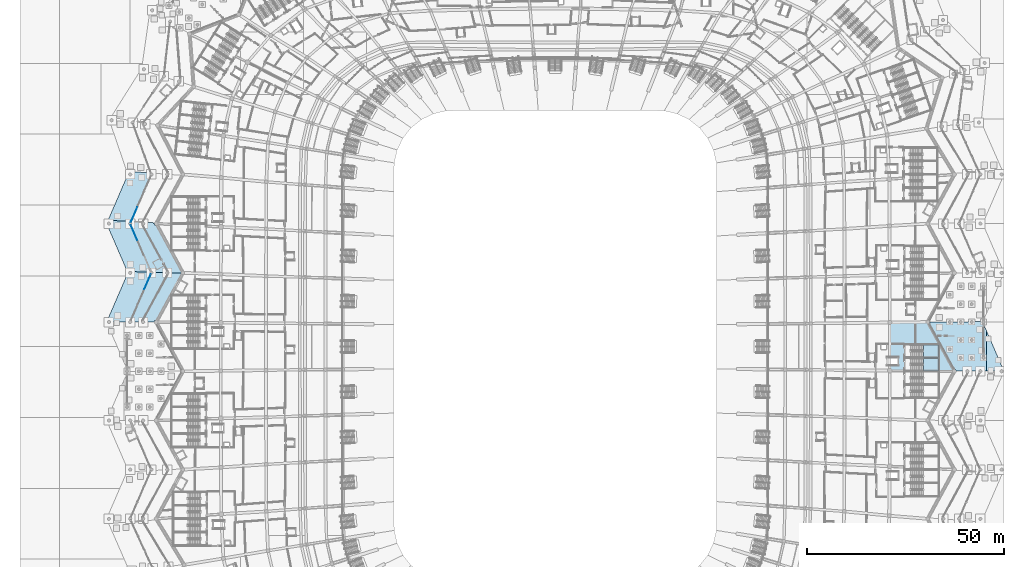
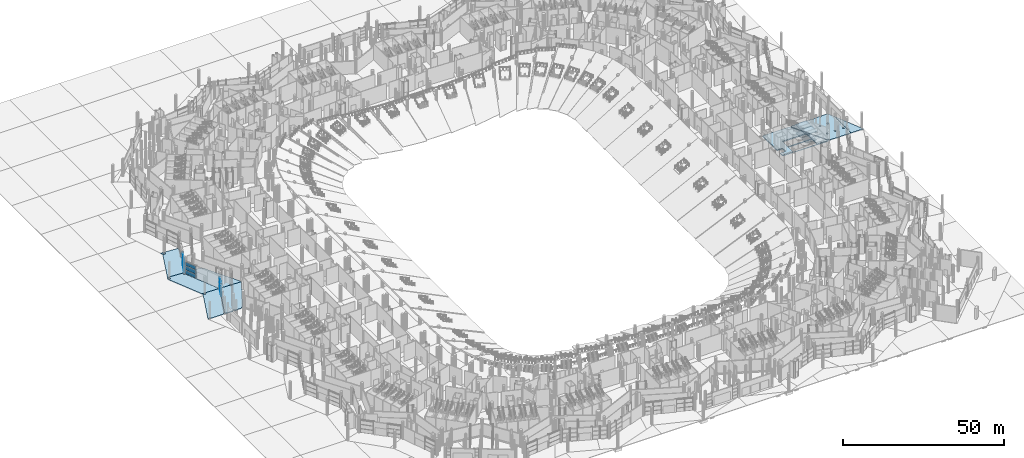
# One storey, part 85 of 255: 12 slabs, 9 plates, 5 elements without a shape of their own.
"""IFC4 building model written with IfcOpenShell, lengths in metres."""

from ifc_helpers import new_model, si_unit, direction, frame, origin, origin_2d, place, context, subcontext, project, spatial, polyline, rectangle, outline, extrude, material, layer, layer_set, type_object, element, aggregate, save


model = new_model("IFC4")

# Units and contexts
model_context = context("Model", 3, precision=1e-05, world=origin(), true_north=direction((0.0, 1.0)))
body_context = subcontext(model_context, "Body", "Model", "MODEL_VIEW")
ifc_project = project(units=[si_unit("LENGTHUNIT", "METRE"), si_unit("AREAUNIT", "SQUARE_METRE"), si_unit("VOLUMEUNIT", "CUBIC_METRE"), si_unit("PLANEANGLEUNIT", "RADIAN"), si_unit("MASSUNIT", "GRAM", prefix="KILO")], contexts=[model_context])

# Site, building, storey
site_placement = place(None, origin())
site = spatial("IfcSite", under=ifc_project, at=site_placement, CompositionType="ELEMENT")
building_placement = place(site_placement, origin())
building = spatial("IfcBuilding", under=site, at=building_placement, Name="Meseta Stadium", CompositionType="ELEMENT")
storey_placement = place(building_placement, origin())
storey = spatial("IfcBuildingStorey", under=building, at=storey_placement, Name="L00", CompositionType="ELEMENT", Elevation=0.0)

# Slabs
ifc_material_1 = material(Name="Concrete C40/50", Category="concrete")
ifc_layer_1 = layer(ifc_material_1, 0.39990234375)
ifc_layer_set_1 = layer_set([ifc_layer_1], Name="Floor slab 400")
slab_type_1 = type_object("IfcSlabType", Name="Floor slab 400", PredefinedType="FLOOR", material=ifc_layer_set_1)
slab_1_placement = place(storey_placement, frame((0.0, 0.0, -0.39990234375)))
element("IfcSlab", 1, at=slab_1_placement, inside=storey, type_object=slab_type_1, Name="Floor slab L00 sector 00 panel 26", PredefinedType="FLOOR", context=body_context, shape_type="SweptSolid", body=[
    extrude(outline(polyline([(88.8798828125, -6.14990234375), (101.3798828125, -6.287109375), (101.39990234375, -6.25), (94.6201171875, 6.212890625), (84.9970703125, 6.107421875), (84.997314453125, -2.800048828125), (87.0, -2.800048828125), (87.0, -4.699951171875), (84.99755859375, -4.699951171875), (84.99755859375, -6.107421875), (88.800048828125, -6.149169921875), (88.800048828125, -2.949951171875), (97.39990234375, -2.949951171875), (97.39990234375, -6.14990234375), (88.8798828125, -6.14990234375)]), holes=[polyline([(97.39990234375, -2.75), (88.800048828125, -2.75), (88.800048828125, 0.449951171875), (97.39990234375, 0.449951171875), (97.39990234375, -2.75)])]), origin(), (0.0, 0.0, 1.0), 0.39990234375),
])
ifc_material_2 = material(Name="Concrete C40/50", Category="concrete")
ifc_layer_2 = layer(ifc_material_2, 0.300048828125)
ifc_layer_set_2 = layer_set([ifc_layer_2], Name="Gate court paving 300")
slab_type_2 = type_object("IfcSlabType", Name="Gate court paving 300", PredefinedType="FLOOR", material=ifc_layer_set_2)
slab_2_placement = place(storey_placement, frame((0.0, 0.0, -0.300048828125)))
element("IfcSlab", 2, at=slab_2_placement, inside=storey, type_object=slab_type_2, Name="Gate 1 court paving", PredefinedType="FLOOR", context=body_context, shape_type="SweptSolid", body=[
    extrude(outline(polyline([(109.60009765625, -6.25), (114.0, -6.25), (109.60009765625, 3.935302734375), (109.60009765625, -6.25)])), origin(), (0.0, 0.0, 1.0), 0.300048828125),
])
ifc_material_3 = material(Name="Concrete C30/37", Category="concrete")
ifc_layer_3 = layer(ifc_material_3, 0.300048828125)
ifc_layer_set_3 = layer_set([ifc_layer_3], Name="Gate grade slab 300")
slab_type_3 = type_object("IfcSlabType", Name="Gate grade slab 300", PredefinedType="BASESLAB", material=ifc_layer_set_3)
slab_3_placement = place(storey_placement, frame((0.0, 0.0, -0.300048828125)))
element("IfcSlab", 3, at=slab_3_placement, inside=storey, type_object=slab_type_3, Name="Gate ground floor slab 1 panel 02", PredefinedType="BASESLAB", context=body_context, shape_type="SweptSolid", body=[
    extrude(outline(polyline([(108.497314453125, 6.25), (108.5078125, 6.328369140625), (108.523193359375, 6.365478515625), (106.087890625, 6.338623046875), (106.09228515625, 6.328369140625), (106.1025390625, 6.25), (106.09228515625, 6.171630859375), (106.06201171875, 6.0986328125), (106.013916015625, 6.035888671875), (105.951416015625, 5.988037109375), (105.87841796875, 5.957763671875), (105.800048828125, 5.947509765625), (105.7216796875, 5.957763671875), (105.648681640625, 5.988037109375), (105.5859375, 6.035888671875), (105.5380859375, 6.0986328125), (105.5078125, 6.171630859375), (105.497314453125, 6.25), (105.5078125, 6.328369140625), (105.509521484375, 6.332275390625), (103.294921875, 6.30810546875), (103.302490234375, 6.25), (103.292236328125, 6.171630859375), (103.261962890625, 6.0986328125), (103.214111328125, 6.035888671875), (103.1513671875, 5.988037109375), (103.078369140625, 5.957763671875), (103.0, 5.947509765625), (102.921630859375, 5.957763671875), (102.8486328125, 5.988037109375), (102.785888671875, 6.035888671875), (102.738037109375, 6.0986328125), (102.707763671875, 6.171630859375), (102.697509765625, 6.25), (102.7041015625, 6.301513671875), (100.4990234375, 6.27734375), (100.502685546875, 6.25), (100.4921875, 6.171630859375), (100.4619140625, 6.0986328125), (100.4140625, 6.035888671875), (100.351318359375, 5.988037109375), (100.2783203125, 5.957763671875), (100.199951171875, 5.947509765625), (100.12158203125, 5.957763671875), (100.048583984375, 5.988037109375), (99.986083984375, 6.035888671875), (99.93798828125, 6.0986328125), (99.90771484375, 6.171630859375), (99.8974609375, 6.25), (99.900146484375, 6.270751953125), (95.049560546875, 6.217529296875), (95.038330078125, 6.132568359375), (94.9931640625, 6.023193359375), (94.955078125, 5.9736328125), (101.335205078125, -5.754150390625), (101.39990234375, -5.74560546875), (101.530517578125, -5.762939453125), (101.652099609375, -5.813232421875), (101.756591796875, -5.893310546875), (101.836669921875, -5.997802734375), (101.88720703125, -6.119384765625), (101.904296875, -6.25), (109.60009765625, -6.25), (109.60009765625, 3.935302734375), (108.7265625, 5.95703125), (108.7216796875, 5.957763671875), (108.648681640625, 5.988037109375), (108.5859375, 6.035888671875), (108.5380859375, 6.0986328125), (108.5078125, 6.171630859375), (108.497314453125, 6.25)]), holes=[polyline([(100.4619140625, -0.818603515625), (100.4140625, -0.88134765625), (100.351318359375, -0.929443359375), (100.2783203125, -0.959716796875), (100.199951171875, -0.969970703125), (100.12158203125, -0.959716796875), (100.048583984375, -0.929443359375), (99.986083984375, -0.88134765625), (99.93798828125, -0.818603515625), (99.90771484375, -0.745849609375), (99.8974609375, -0.66748046875), (99.90771484375, -0.589111328125), (99.93798828125, -0.51611328125), (99.986083984375, -0.45361328125), (100.048583984375, -0.405517578125), (100.12158203125, -0.375244140625), (100.199951171875, -0.364990234375), (100.2783203125, -0.375244140625), (100.351318359375, -0.405517578125), (100.4140625, -0.45361328125), (100.4619140625, -0.51611328125), (100.4921875, -0.589111328125), (100.502685546875, -0.66748046875), (100.4921875, -0.745849609375), (100.4619140625, -0.818603515625)]), polyline([(103.261962890625, -3.001220703125), (103.214111328125, -3.06396484375), (103.1513671875, -3.112060546875), (103.078369140625, -3.142333984375), (103.0, -3.152587890625), (102.921630859375, -3.142333984375), (102.8486328125, -3.112060546875), (102.785888671875, -3.06396484375), (102.738037109375, -3.001220703125), (102.707763671875, -2.92822265625), (102.697509765625, -2.85009765625), (102.707763671875, -2.771728515625), (102.738037109375, -2.69873046875), (102.785888671875, -2.635986328125), (102.8486328125, -2.587890625), (102.921630859375, -2.5576171875), (103.0, -2.54736328125), (103.078369140625, -2.5576171875), (103.1513671875, -2.587890625), (103.214111328125, -2.635986328125), (103.261962890625, -2.69873046875), (103.292236328125, -2.771728515625), (103.302490234375, -2.85009765625), (103.292236328125, -2.92822265625), (103.261962890625, -3.001220703125)]), polyline([(106.06201171875, -3.001220703125), (106.013916015625, -3.06396484375), (105.951416015625, -3.112060546875), (105.87841796875, -3.142333984375), (105.800048828125, -3.152587890625), (105.7216796875, -3.142333984375), (105.648681640625, -3.112060546875), (105.5859375, -3.06396484375), (105.5380859375, -3.001220703125), (105.5078125, -2.92822265625), (105.497314453125, -2.85009765625), (105.5078125, -2.771728515625), (105.5380859375, -2.69873046875), (105.5859375, -2.635986328125), (105.648681640625, -2.587890625), (105.7216796875, -2.5576171875), (105.800048828125, -2.54736328125), (105.87841796875, -2.5576171875), (105.951416015625, -2.587890625), (106.013916015625, -2.635986328125), (106.06201171875, -2.69873046875), (106.09228515625, -2.771728515625), (106.1025390625, -2.85009765625), (106.09228515625, -2.92822265625), (106.06201171875, -3.001220703125)]), polyline([(109.06201171875, -3.001220703125), (109.013916015625, -3.06396484375), (108.951416015625, -3.112060546875), (108.87841796875, -3.142333984375), (108.800048828125, -3.152587890625), (108.7216796875, -3.142333984375), (108.648681640625, -3.112060546875), (108.5859375, -3.06396484375), (108.5380859375, -3.001220703125), (108.5078125, -2.92822265625), (108.497314453125, -2.85009765625), (108.5078125, -2.771728515625), (108.5380859375, -2.69873046875), (108.5859375, -2.635986328125), (108.648681640625, -2.587890625), (108.7216796875, -2.5576171875), (108.800048828125, -2.54736328125), (108.87841796875, -2.5576171875), (108.951416015625, -2.587890625), (109.013916015625, -2.635986328125), (109.06201171875, -2.69873046875), (109.09228515625, -2.771728515625), (109.1025390625, -2.85009765625), (109.09228515625, -2.92822265625), (109.06201171875, -3.001220703125)]), polyline([(103.214111328125, 1.486083984375), (103.1513671875, 1.43798828125), (103.078369140625, 1.40771484375), (103.0, 1.3974609375), (102.921630859375, 1.40771484375), (102.8486328125, 1.43798828125), (102.785888671875, 1.486083984375), (102.738037109375, 1.548583984375), (102.707763671875, 1.62158203125), (102.697509765625, 1.699951171875), (102.707763671875, 1.7783203125), (102.738037109375, 1.851318359375), (102.785888671875, 1.9140625), (102.8486328125, 1.9619140625), (102.921630859375, 1.9921875), (103.0, 2.002685546875), (103.078369140625, 1.9921875), (103.1513671875, 1.9619140625), (103.214111328125, 1.9140625), (103.261962890625, 1.851318359375), (103.292236328125, 1.7783203125), (103.302490234375, 1.699951171875), (103.292236328125, 1.62158203125), (103.261962890625, 1.548583984375), (103.214111328125, 1.486083984375)]), polyline([(106.013916015625, 1.486083984375), (105.951416015625, 1.43798828125), (105.87841796875, 1.40771484375), (105.800048828125, 1.3974609375), (105.7216796875, 1.40771484375), (105.648681640625, 1.43798828125), (105.5859375, 1.486083984375), (105.5380859375, 1.548583984375), (105.5078125, 1.62158203125), (105.497314453125, 1.699951171875), (105.5078125, 1.7783203125), (105.5380859375, 1.851318359375), (105.5859375, 1.9140625), (105.648681640625, 1.9619140625), (105.7216796875, 1.9921875), (105.800048828125, 2.002685546875), (105.87841796875, 1.9921875), (105.951416015625, 1.9619140625), (106.013916015625, 1.9140625), (106.06201171875, 1.851318359375), (106.09228515625, 1.7783203125), (106.1025390625, 1.699951171875), (106.09228515625, 1.62158203125), (106.06201171875, 1.548583984375), (106.013916015625, 1.486083984375)])]), origin(), (0.0, 0.0, 1.0), 0.300048828125),
])
ifc_material_4 = material(Name="Concrete C40/50", Category="concrete")
ifc_layer_4 = layer(ifc_material_4, 0.300048828125)
ifc_layer_set_4 = layer_set([ifc_layer_4], Name="Passage paving slab 300")
slab_type_4 = type_object("IfcSlabType", Name="Passage paving slab 300", PredefinedType="FLOOR", material=ifc_layer_set_4)
slab_4_placement = place(storey_placement, frame((0.0, 0.0, -0.300048828125)))
element("IfcSlab", 4, at=slab_4_placement, inside=storey, type_object=slab_type_4, Name="Covered passage paving 4 part 1 panel 01", PredefinedType="FLOOR", context=body_context, shape_type="SweptSolid", body=[
    extrude(outline(polyline([(-113.6298828125, 32.10693359375), (-114.0, 31.25), (-108.752685546875, 19.103759765625), (-108.218994140625, 19.086181640625), (-108.20166015625, 19.099365234375), (-108.1044921875, 19.1396484375), (-108.0, 19.153564453125), (-107.8955078125, 19.1396484375), (-107.79833984375, 19.099365234375), (-107.761474609375, 19.071044921875), (-102.96533203125, 18.913330078125), (-102.949462890625, 18.95166015625), (-102.88525390625, 19.035400390625), (-102.8017578125, 19.099365234375), (-102.758544921875, 19.1171875), (-107.84130859375, 30.8828125), (-107.8955078125, 30.8603515625), (-108.0, 30.846435546875), (-108.1044921875, 30.8603515625), (-108.20166015625, 30.900634765625), (-108.285400390625, 30.964599609375), (-108.349365234375, 31.04833984375), (-108.3896484375, 31.1455078125), (-108.403564453125, 31.25), (-108.3896484375, 31.3544921875), (-108.349365234375, 31.45166015625), (-108.285400390625, 31.535400390625), (-108.20166015625, 31.599365234375), (-108.1044921875, 31.6396484375), (-108.0, 31.653564453125), (-107.8955078125, 31.6396484375), (-107.84130859375, 31.6171875), (-107.768798828125, 31.78564453125), (-113.6298828125, 32.10693359375)]), holes=[polyline([(-113.1982421875, 30.900634765625), (-113.295654296875, 30.8603515625), (-113.39990234375, 30.846435546875), (-113.50439453125, 30.8603515625), (-113.601806640625, 30.900634765625), (-113.685302734375, 30.964599609375), (-113.74951171875, 31.04833984375), (-113.789794921875, 31.1455078125), (-113.803466796875, 31.25), (-113.789794921875, 31.3544921875), (-113.74951171875, 31.45166015625), (-113.685302734375, 31.535400390625), (-113.601806640625, 31.599365234375), (-113.50439453125, 31.6396484375), (-113.39990234375, 31.653564453125), (-113.295654296875, 31.6396484375), (-113.1982421875, 31.599365234375), (-113.11474609375, 31.535400390625), (-113.050537109375, 31.45166015625), (-113.01025390625, 31.3544921875), (-112.99658203125, 31.25), (-113.01025390625, 31.1455078125), (-113.050537109375, 31.04833984375), (-113.11474609375, 30.964599609375), (-113.1982421875, 30.900634765625)])]), origin(), (0.0, 0.0, 1.0), 0.300048828125),
])
slab_5_placement = place(storey_placement, frame((0.0, 0.0, -0.300048828125)))
element("IfcSlab", 5, at=slab_5_placement, inside=storey, type_object=slab_type_4, Name="Covered passage paving 4 part 1 panel 02", PredefinedType="FLOOR", context=body_context, shape_type="SweptSolid", body=[
    extrude(outline(polyline([(-108.60009765625, 18.75), (-114.0, 6.25), (-113.803466796875, 6.25), (-113.789794921875, 6.3544921875), (-113.761474609375, 6.4228515625), (-113.74951171875, 6.45166015625), (-113.685302734375, 6.535400390625), (-113.601806640625, 6.599365234375), (-113.50439453125, 6.6396484375), (-113.39990234375, 6.653564453125), (-113.295654296875, 6.6396484375), (-113.1982421875, 6.599365234375), (-113.11474609375, 6.535400390625), (-113.050537109375, 6.45166015625), (-113.035400390625, 6.414794921875), (-113.01025390625, 6.3544921875), (-112.99658203125, 6.25), (-108.403564453125, 6.25), (-108.3896484375, 6.3544921875), (-108.349365234375, 6.45166015625), (-108.285400390625, 6.535400390625), (-108.20166015625, 6.599365234375), (-108.1044921875, 6.6396484375), (-108.0, 6.653564453125), (-107.8955078125, 6.6396484375), (-107.84130859375, 6.6171875), (-102.758544921875, 18.3828125), (-102.8017578125, 18.400634765625), (-102.88525390625, 18.464599609375), (-102.949462890625, 18.54833984375), (-102.98974609375, 18.6455078125), (-103.00341796875, 18.75), (-102.98974609375, 18.8544921875), (-102.96533203125, 18.913330078125), (-107.761474609375, 19.071044921875), (-107.714599609375, 19.035400390625), (-107.650634765625, 18.95166015625), (-107.6103515625, 18.8544921875), (-107.596435546875, 18.75), (-107.6103515625, 18.6455078125), (-107.650634765625, 18.54833984375), (-107.714599609375, 18.464599609375), (-107.79833984375, 18.400634765625), (-107.8955078125, 18.3603515625), (-108.0, 18.346435546875), (-108.1044921875, 18.3603515625), (-108.20166015625, 18.400634765625), (-108.285400390625, 18.464599609375), (-108.349365234375, 18.54833984375), (-108.3896484375, 18.6455078125), (-108.403564453125, 18.75), (-108.3896484375, 18.8544921875), (-108.349365234375, 18.95166015625), (-108.285400390625, 19.035400390625), (-108.218994140625, 19.086181640625), (-108.752685546875, 19.103759765625), (-108.60009765625, 18.75)])), origin(), (0.0, 0.0, 1.0), 0.300048828125),
])
slab_6_placement = place(storey_placement, frame((0.0, 0.0, -0.300048828125)))
element("IfcSlab", 6, at=slab_6_placement, inside=storey, type_object=slab_type_4, Name="Covered passage paving 4 part 1 panel 04", PredefinedType="FLOOR", context=body_context, shape_type="SweptSolid", body=[
    extrude(outline(polyline([(-108.885986328125, 44.58544921875), (-108.60009765625, 43.75), (-113.6298828125, 32.10693359375), (-107.768798828125, 31.78564453125), (-102.758544921875, 43.3828125), (-102.8017578125, 43.400634765625), (-102.88525390625, 43.464599609375), (-102.949462890625, 43.54833984375), (-102.98974609375, 43.6455078125), (-103.00341796875, 43.75), (-102.98974609375, 43.8544921875), (-102.949462890625, 43.95166015625), (-102.88525390625, 44.035400390625), (-102.8017578125, 44.099365234375), (-102.7626953125, 44.115478515625), (-108.885986328125, 44.58544921875)]), holes=[polyline([(-108.0, 43.346435546875), (-108.1044921875, 43.3603515625), (-108.20166015625, 43.400634765625), (-108.285400390625, 43.464599609375), (-108.349365234375, 43.54833984375), (-108.3896484375, 43.6455078125), (-108.403564453125, 43.75), (-108.3896484375, 43.8544921875), (-108.349365234375, 43.95166015625), (-108.285400390625, 44.035400390625), (-108.20166015625, 44.099365234375), (-108.1044921875, 44.1396484375), (-108.0, 44.153564453125), (-107.8955078125, 44.1396484375), (-107.79833984375, 44.099365234375), (-107.714599609375, 44.035400390625), (-107.650634765625, 43.95166015625), (-107.6103515625, 43.8544921875), (-107.596435546875, 43.75), (-107.6103515625, 43.6455078125), (-107.650634765625, 43.54833984375), (-107.714599609375, 43.464599609375), (-107.79833984375, 43.400634765625), (-107.8955078125, 43.3603515625), (-108.0, 43.346435546875)])]), origin(), (0.0, 0.0, 1.0), 0.300048828125),
])

# Curtain wall, plates
ifc_material_5 = material(Name="Aluminium", Category="aluminium")
ifc_layer_5 = layer(ifc_material_5, 0.199951171875)
ifc_layer_set_5 = layer_set([ifc_layer_5], Name="Ring shopfront curtain wall")
curtain_wall_type = type_object("IfcCurtainWallType", Name="Ring shopfront curtain wall", PredefinedType="NOTDEFINED", material=ifc_layer_set_5)
curtain_wall_1_placement = place(storey_placement, origin())
curtain_wall_1 = element("IfcCurtainWall", 7, at=curtain_wall_1_placement, inside=storey, type_object=curtain_wall_type, Name="Shopfront glazing F29b", PredefinedType="NOTDEFINED")
ifc_material_6 = material(Name="Glass", Category="glass")
ifc_layer_6 = layer(ifc_material_6, 0.035888671875)
ifc_layer_set_6 = layer_set([ifc_layer_6], Name="Ring CW glass panel 36")
plate_type = type_object("IfcPlateType", Name="Ring CW glass panel 36", PredefinedType="CURTAIN_PANEL", material=ifc_layer_set_6)
plate_1_placement = place(storey_placement, frame((-107.0068359375, 33.548828125, 0.150146484375), z_axis=(0.0, 0.0, 1.0), x_axis=(-0.396576208678, -0.918001803218, 0.0)))
plate_1 = element("IfcPlate", 8, at=plate_1_placement, type_object=plate_type, Name="CWR1 panel 1.1", PredefinedType="CURTAIN_PANEL", context=body_context, shape_type="SweptSolid", body=[
    extrude(rectangle(XDim=4.08837890625, YDim=0.035888671875, at=origin_2d()), origin(), (0.0, 0.0, 1.0), 1.3916015625),
])
plate_2_placement = place(storey_placement, frame((-107.0068359375, 33.548828125, 1.69189453125), z_axis=(0.0, 0.0, 1.0), x_axis=(-0.396576208678, -0.918001803218, 0.0)))
plate_2 = element("IfcPlate", 9, at=plate_2_placement, type_object=plate_type, Name="CWR1 panel 1.2", PredefinedType="CURTAIN_PANEL", context=body_context, shape_type="SweptSolid", body=[
    extrude(rectangle(XDim=4.08837890625, YDim=0.035888671875, at=origin_2d()), origin(), (0.0, 0.0, 1.0), 1.466552734375),
])
plate_3_placement = place(storey_placement, frame((-107.0068359375, 33.548828125, 3.308349609375), z_axis=(0.0, 0.0, 1.0), x_axis=(-0.396576208678, -0.918001803218, 0.0)))
plate_3 = element("IfcPlate", 10, at=plate_3_placement, type_object=plate_type, Name="CWR1 panel 1.3", PredefinedType="CURTAIN_PANEL", context=body_context, shape_type="SweptSolid", body=[
    extrude(rectangle(XDim=4.08837890625, YDim=0.035888671875, at=origin_2d()), origin(), (0.0, 0.0, 1.0), 1.3916015625),
])
aggregate(curtain_wall_1, [plate_1, plate_2, plate_3])

curtain_wall_2_placement = place(storey_placement, origin())
curtain_wall_2 = element("IfcCurtainWall", 11, at=curtain_wall_2_placement, inside=storey, type_object=curtain_wall_type, Name="Shopfront glazing F30a", PredefinedType="NOTDEFINED")
plate_4_placement = place(storey_placement, frame((-107.0068359375, 28.951171875, 0.150146484375), z_axis=(0.0, 0.0, 1.0), x_axis=(0.396576208678, -0.918001803218, 0.0)))
plate_4 = element("IfcPlate", 12, at=plate_4_placement, type_object=plate_type, Name="CWR1 panel 1.1", PredefinedType="CURTAIN_PANEL", context=body_context, shape_type="SweptSolid", body=[
    extrude(rectangle(XDim=4.08837890625, YDim=0.035888671875, at=origin_2d()), origin(), (0.0, 0.0, 1.0), 1.3916015625),
])
plate_5_placement = place(storey_placement, frame((-107.0068359375, 28.951171875, 1.69189453125), z_axis=(0.0, 0.0, 1.0), x_axis=(0.396576208678, -0.918001803218, 0.0)))
plate_5 = element("IfcPlate", 13, at=plate_5_placement, type_object=plate_type, Name="CWR1 panel 1.2", PredefinedType="CURTAIN_PANEL", context=body_context, shape_type="SweptSolid", body=[
    extrude(rectangle(XDim=4.08837890625, YDim=0.035888671875, at=origin_2d()), origin(), (0.0, 0.0, 1.0), 1.466552734375),
])
plate_6_placement = place(storey_placement, frame((-107.0068359375, 28.951171875, 3.308349609375), z_axis=(0.0, 0.0, 1.0), x_axis=(0.396576208678, -0.918001803218, 0.0)))
plate_6 = element("IfcPlate", 14, at=plate_6_placement, type_object=plate_type, Name="CWR1 panel 1.3", PredefinedType="CURTAIN_PANEL", context=body_context, shape_type="SweptSolid", body=[
    extrude(rectangle(XDim=4.08837890625, YDim=0.035888671875, at=origin_2d()), origin(), (0.0, 0.0, 1.0), 1.3916015625),
])
aggregate(curtain_wall_2, [plate_4, plate_5, plate_6])

curtain_wall_3_placement = place(storey_placement, origin())
curtain_wall_3 = element("IfcCurtainWall", 15, at=curtain_wall_3_placement, inside=storey, type_object=curtain_wall_type, Name="Shopfront glazing F31a", PredefinedType="NOTDEFINED")
plate_7_placement = place(storey_placement, frame((-103.593017578125, 16.451171875, 0.150146484375), z_axis=(0.0, 0.0, 1.0), x_axis=(-0.396576208678, -0.918001803218, 0.0)))
plate_7 = element("IfcPlate", 16, at=plate_7_placement, type_object=plate_type, Name="CWR1 panel 1.1", PredefinedType="CURTAIN_PANEL", context=body_context, shape_type="SweptSolid", body=[
    extrude(rectangle(XDim=4.08837890625, YDim=0.035888671875, at=origin_2d()), origin(), (0.0, 0.0, 1.0), 1.3916015625),
])
plate_8_placement = place(storey_placement, frame((-103.593017578125, 16.451171875, 1.69189453125), z_axis=(0.0, 0.0, 1.0), x_axis=(-0.396576208678, -0.918001803218, 0.0)))
plate_8 = element("IfcPlate", 17, at=plate_8_placement, type_object=plate_type, Name="CWR1 panel 1.2", PredefinedType="CURTAIN_PANEL", context=body_context, shape_type="SweptSolid", body=[
    extrude(rectangle(XDim=4.08837890625, YDim=0.035888671875, at=origin_2d()), origin(), (0.0, 0.0, 1.0), 1.466552734375),
])
plate_9_placement = place(storey_placement, frame((-103.593017578125, 16.451171875, 3.308349609375), z_axis=(0.0, 0.0, 1.0), x_axis=(-0.396576208678, -0.918001803218, 0.0)))
plate_9 = element("IfcPlate", 18, at=plate_9_placement, type_object=plate_type, Name="CWR1 panel 1.3", PredefinedType="CURTAIN_PANEL", context=body_context, shape_type="SweptSolid", body=[
    extrude(rectangle(XDim=4.08837890625, YDim=0.035888671875, at=origin_2d()), origin(), (0.0, 0.0, 1.0), 1.3916015625),
])
aggregate(curtain_wall_3, [plate_7, plate_8, plate_9])

# Slabs
ifc_material_7 = material(Name="Concrete C30/37", Category="concrete")
ifc_layer_7 = layer(ifc_material_7, 0.300048828125)
ifc_layer_set_7 = layer_set([ifc_layer_7], Name="Ring grade slab 300")
slab_type_5 = type_object("IfcSlabType", Name="Ring grade slab 300", PredefinedType="BASESLAB", material=ifc_layer_set_7)
slab_7_placement = place(storey_placement, frame((0.0, 0.0, -0.300048828125)))
element("IfcSlab", 19, at=slab_7_placement, inside=storey, type_object=slab_type_5, Name="Ring ground floor slab 4 part 1 panel 01", PredefinedType="BASESLAB", context=body_context, shape_type="SweptSolid", body=[
    extrude(outline(polyline([(-102.314697265625, 19.035400390625), (-102.25048828125, 18.95166015625), (-102.224609375, 18.888916015625), (-98.999267578125, 18.782958984375), (-98.98974609375, 18.8544921875), (-98.949462890625, 18.95166015625), (-98.88525390625, 19.035400390625), (-98.8017578125, 19.099365234375), (-98.704345703125, 19.1396484375), (-98.60009765625, 19.153564453125), (-98.49560546875, 19.1396484375), (-98.398193359375, 19.099365234375), (-98.314697265625, 19.035400390625), (-98.25048828125, 18.95166015625), (-98.210205078125, 18.8544921875), (-98.197509765625, 18.756591796875), (-95.041015625, 18.652587890625), (-95.053955078125, 18.75), (-95.038330078125, 18.867431640625), (-94.9931640625, 18.976806640625), (-94.935302734375, 19.05224609375), (-101.30322265625, 30.75830078125), (-101.39990234375, 30.74560546875), (-101.530517578125, 30.762939453125), (-101.652099609375, 30.813232421875), (-101.756591796875, 30.893310546875), (-101.836669921875, 30.997802734375), (-101.88720703125, 31.119384765625), (-101.904296875, 31.25), (-101.88720703125, 31.380615234375), (-101.853515625, 31.461181640625), (-104.517333984375, 31.607421875), (-104.498291015625, 31.599365234375), (-104.414794921875, 31.535400390625), (-104.3505859375, 31.45166015625), (-104.310302734375, 31.3544921875), (-104.29638671875, 31.25), (-104.310302734375, 31.1455078125), (-104.3505859375, 31.04833984375), (-104.414794921875, 30.964599609375), (-104.498291015625, 30.900634765625), (-104.595703125, 30.8603515625), (-104.699951171875, 30.846435546875), (-104.804443359375, 30.8603515625), (-104.901611328125, 30.900634765625), (-104.9853515625, 30.964599609375), (-105.04931640625, 31.04833984375), (-105.089599609375, 31.1455078125), (-105.103515625, 31.25), (-105.089599609375, 31.3544921875), (-105.04931640625, 31.45166015625), (-104.9853515625, 31.535400390625), (-104.901611328125, 31.599365234375), (-104.83984375, 31.625), (-107.768798828125, 31.78564453125), (-107.84130859375, 31.6171875), (-107.79833984375, 31.599365234375), (-107.714599609375, 31.535400390625), (-107.650634765625, 31.45166015625), (-107.6103515625, 31.3544921875), (-107.596435546875, 31.25), (-107.6103515625, 31.1455078125), (-107.650634765625, 31.04833984375), (-107.714599609375, 30.964599609375), (-107.79833984375, 30.900634765625), (-107.84130859375, 30.8828125), (-102.758544921875, 19.1171875), (-102.704345703125, 19.1396484375), (-102.60009765625, 19.153564453125), (-102.49560546875, 19.1396484375), (-102.398193359375, 19.099365234375), (-102.314697265625, 19.035400390625)])), origin(), (0.0, 0.0, 1.0), 0.300048828125),
])
slab_8_placement = place(storey_placement, frame((0.0, 0.0, -0.300048828125)))
element("IfcSlab", 20, at=slab_8_placement, inside=storey, type_object=slab_type_5, Name="Ring ground floor slab 4 part 1 panel 02", PredefinedType="BASESLAB", context=body_context, shape_type="SweptSolid", body=[
    extrude(outline(polyline([(-107.79833984375, 6.599365234375), (-107.714599609375, 6.535400390625), (-107.650634765625, 6.45166015625), (-107.610595703125, 6.35546875), (-107.596435546875, 6.25), (-105.103515625, 6.25), (-105.089599609375, 6.3544921875), (-105.04931640625, 6.45166015625), (-104.9853515625, 6.535400390625), (-104.901611328125, 6.599365234375), (-104.804443359375, 6.6396484375), (-104.699951171875, 6.653564453125), (-104.595703125, 6.6396484375), (-104.498291015625, 6.599365234375), (-104.414794921875, 6.535400390625), (-104.3505859375, 6.45166015625), (-104.310302734375, 6.3544921875), (-104.29638671875, 6.25), (-101.904296875, 6.25), (-101.88720703125, 6.380615234375), (-101.836669921875, 6.502197265625), (-101.756591796875, 6.606689453125), (-101.652099609375, 6.686767578125), (-101.530517578125, 6.737060546875), (-101.39990234375, 6.75439453125), (-101.30322265625, 6.74169921875), (-94.935302734375, 18.44775390625), (-94.9931640625, 18.523193359375), (-95.038330078125, 18.632568359375), (-95.041015625, 18.652587890625), (-98.197509765625, 18.756591796875), (-98.196533203125, 18.75), (-98.210205078125, 18.6455078125), (-98.25048828125, 18.54833984375), (-98.314697265625, 18.464599609375), (-98.398193359375, 18.400634765625), (-98.49560546875, 18.3603515625), (-98.60009765625, 18.346435546875), (-98.704345703125, 18.3603515625), (-98.8017578125, 18.400634765625), (-98.88525390625, 18.464599609375), (-98.949462890625, 18.54833984375), (-98.98974609375, 18.6455078125), (-99.00341796875, 18.75), (-98.999267578125, 18.782958984375), (-102.224609375, 18.888916015625), (-102.210205078125, 18.8544921875), (-102.196533203125, 18.75), (-102.210205078125, 18.6455078125), (-102.25048828125, 18.54833984375), (-102.314697265625, 18.464599609375), (-102.398193359375, 18.400634765625), (-102.49560546875, 18.3603515625), (-102.60009765625, 18.346435546875), (-102.704345703125, 18.3603515625), (-102.758544921875, 18.3828125), (-107.84130859375, 6.6171875), (-107.79833984375, 6.599365234375)])), origin(), (0.0, 0.0, 1.0), 0.300048828125),
])

# Stair, slabs
ifc_material_8 = material(Name="Concrete C40/50", Category="concrete")
stair_type = type_object("IfcStairType", Name="Exit stair 4 flights 148 mm risers", PredefinedType="HALF_TURN_STAIR", material=ifc_material_8)
stair_1_placement = place(storey_placement, origin())
stair_1 = element("IfcStair", 21, at=stair_1_placement, inside=storey, type_object=stair_type, Name="ST11 L00", PredefinedType="HALF_TURN_STAIR")
ifc_material_9 = material(Name="Concrete C40/50", Category="concrete")
ifc_layer_8 = layer(ifc_material_9, 0.199951171875)
ifc_layer_set_8 = layer_set([ifc_layer_8], Name="Stair landing 200")
slab_type_6 = type_object("IfcSlabType", Name="Stair landing 200", PredefinedType="LANDING", material=ifc_layer_set_8)
slab_9_placement = place(storey_placement, frame((0.0, 0.0, 1.425048828125)))
slab_9 = element("IfcSlab", 22, at=slab_9_placement, type_object=slab_type_6, Name="ST11 L00 landing 1", PredefinedType="LANDING", context=body_context, shape_type="SweptSolid", body=[
    extrude(outline(polyline([(93.489990234375, -6.14990234375), (97.39990234375, -6.14990234375), (97.39990234375, -2.949951171875), (93.489990234375, -2.949951171875), (93.489990234375, -6.14990234375)])), origin(), (0.0, 0.0, 1.0), 0.199951171875),
])
slab_10_placement = place(storey_placement, frame((0.0, 0.0, 4.675048828125)))
slab_10 = element("IfcSlab", 23, at=slab_10_placement, type_object=slab_type_6, Name="ST11 L00 landing 3", PredefinedType="LANDING", context=body_context, shape_type="SweptSolid", body=[
    extrude(outline(polyline([(93.489990234375, -6.14990234375), (97.39990234375, -6.14990234375), (97.39990234375, -2.949951171875), (93.489990234375, -2.949951171875), (93.489990234375, -6.14990234375)])), origin(), (0.0, 0.0, 1.0), 0.199951171875),
])
aggregate(stair_1, [slab_9, slab_10])

stair_2_placement = place(storey_placement, origin())
stair_2 = element("IfcStair", 24, at=stair_2_placement, inside=storey, type_object=stair_type, Name="ST12 L00", PredefinedType="HALF_TURN_STAIR")
slab_11_placement = place(storey_placement, frame((0.0, 0.0, 1.425048828125)))
slab_11 = element("IfcSlab", 25, at=slab_11_placement, type_object=slab_type_6, Name="ST12 L00 landing 1", PredefinedType="LANDING", context=body_context, shape_type="SweptSolid", body=[
    extrude(outline(polyline([(93.489990234375, -2.75), (97.39990234375, -2.75), (97.39990234375, 0.449951171875), (93.489990234375, 0.449951171875), (93.489990234375, -2.75)])), origin(), (0.0, 0.0, 1.0), 0.199951171875),
])
slab_12_placement = place(storey_placement, frame((0.0, 0.0, 4.675048828125)))
slab_12 = element("IfcSlab", 26, at=slab_12_placement, type_object=slab_type_6, Name="ST12 L00 landing 3", PredefinedType="LANDING", context=body_context, shape_type="SweptSolid", body=[
    extrude(outline(polyline([(93.489990234375, -2.75), (97.39990234375, -2.75), (97.39990234375, 0.449951171875), (93.489990234375, 0.449951171875), (93.489990234375, -2.75)])), origin(), (0.0, 0.0, 1.0), 0.199951171875),
])
aggregate(stair_2, [slab_11, slab_12])

save(model, "model.ifc")
